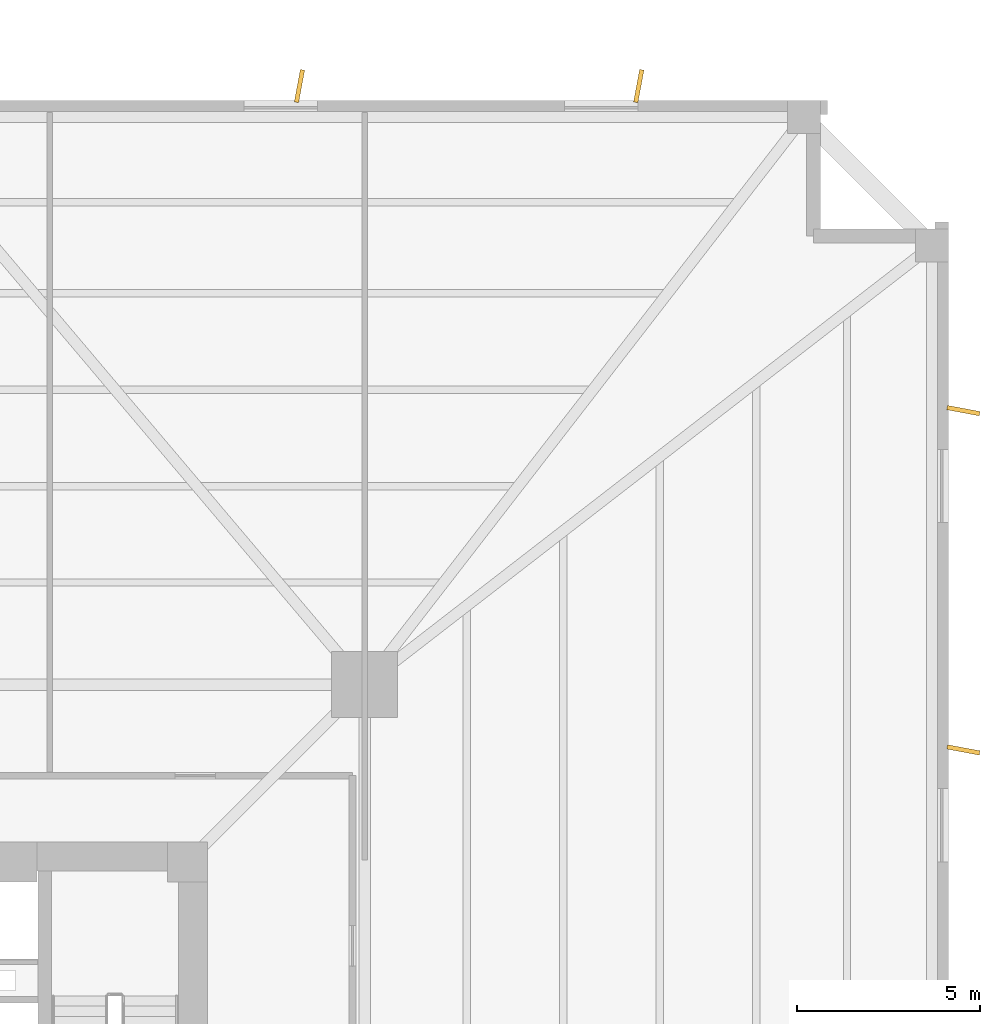
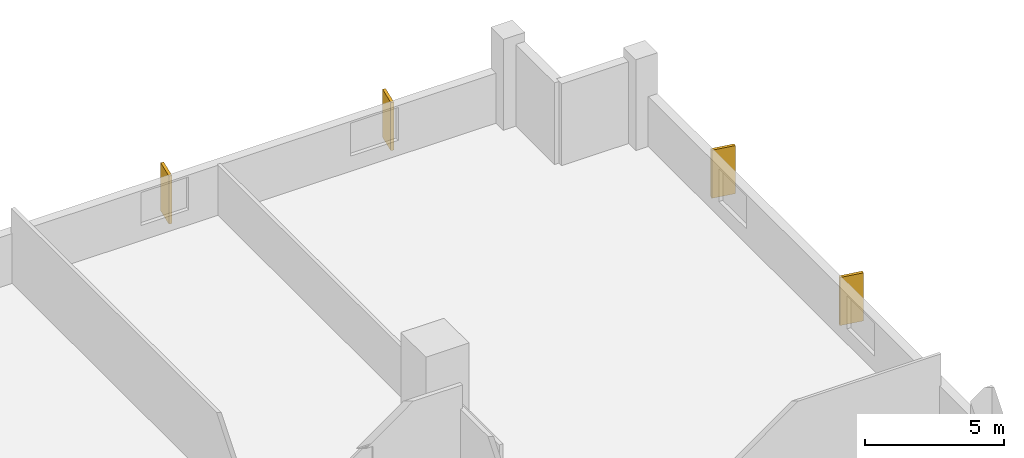
# One storey, part 8 of 8: 4 coverings.
"""IFC4 building model written with IfcOpenShell, lengths in metres."""

from ifc_helpers import new_model, si_unit, direction, frame, origin, origin_2d, place, context, subcontext, project, spatial, rectangle, extrude, source, transform, mapped, material, layer, layer_set, type_object, element, save


model = new_model("IFC4")

# Units and contexts
model_context = context("Model", 3, precision=1e-05, world=origin(), true_north=direction((0.0, 1.0)))
body_context = subcontext(model_context, "Body", "Model", "MODEL_VIEW")
ifc_project = project(units=[si_unit("LENGTHUNIT", "METRE"), si_unit("AREAUNIT", "SQUARE_METRE"), si_unit("VOLUMEUNIT", "CUBIC_METRE"), si_unit("PLANEANGLEUNIT", "RADIAN"), si_unit("MASSUNIT", "GRAM", prefix="KILO"), si_unit("THERMODYNAMICTEMPERATUREUNIT", "KELVIN")], contexts=[model_context])

# Site, building, storey
site_placement = place(None, origin())
site = spatial("IfcSite", under=ifc_project, at=site_placement, CompositionType="ELEMENT")
building_placement = place(site_placement, origin())
building = spatial("IfcBuilding", under=site, at=building_placement, Name="Kosmvard Interchange Tower", CompositionType="ELEMENT")
storey_placement = place(building_placement, frame((0.0, 0.0, 74.0)))
storey = spatial("IfcBuildingStorey", under=building, at=storey_placement, Name="L17", CompositionType="ELEMENT", Elevation=74.0)

# Coverings
ifc_material = material(Name="Architectural anodised aluminium", Category="aluminium")
ifc_layer = layer(ifc_material, 0.1201171875, Name="Architectural anodised aluminium")
ifc_layer_set = layer_set([ifc_layer], Name="Architectural anodised aluminium")
covering_type = type_object("IfcCoveringType", Name="Rotating Vertical Sun-Breaker Fin 900x120 Aluminium", PredefinedType="CLADDING", material=ifc_layer_set)
shared_shape = source(origin(), body_context, "Body", "SweptSolid", [
    extrude(rectangle(XDim=0.89990234375, YDim=0.1201171875, at=origin_2d()), origin(), (0.0, 0.0, 1.0), 2.1201171875),
])
for number, where, z_axis, x_axis, name in (
    (1, (29.39990234375, 11.3037109375, 0.0400390625), (0.0, 0.0, 1.0), (0.982967439746, -0.18377979323, 0.0), "L17 Rotating Vertical Sun-Breaker Fin 07"),
    (2, (29.39990234375, 20.552001953125, 0.0400390625), (0.0, 0.0, 1.0), (0.982967439746, -0.18377979323, 0.0), "L17 Rotating Vertical Sun-Breaker Fin 08"),
    (3, (20.552001953125, 29.39990234375, 0.0400390625), (0.0, 0.0, 1.0), (0.18377979323, 0.982967439746, 0.0), "L17 Rotating Vertical Sun-Breaker Fin 09"),
    (4, (11.3037109375, 29.39990234375, 0.0400390625), (0.0, 0.0, 1.0), (0.18377979323, 0.982967439746, 0.0), "L17 Rotating Vertical Sun-Breaker Fin 10"),
):
    element("IfcCovering", number, at=place(storey_placement, frame(where, z_axis=z_axis, x_axis=x_axis)), inside=storey, type_object=covering_type, Name=name, PredefinedType="CLADDING", context=body_context, shape_type="MappedRepresentation", body=[
        mapped(shared_shape, transform((0.0, 0.0, 0.0), scale=1.0)),
    ])

save(model, "model.ifc")
